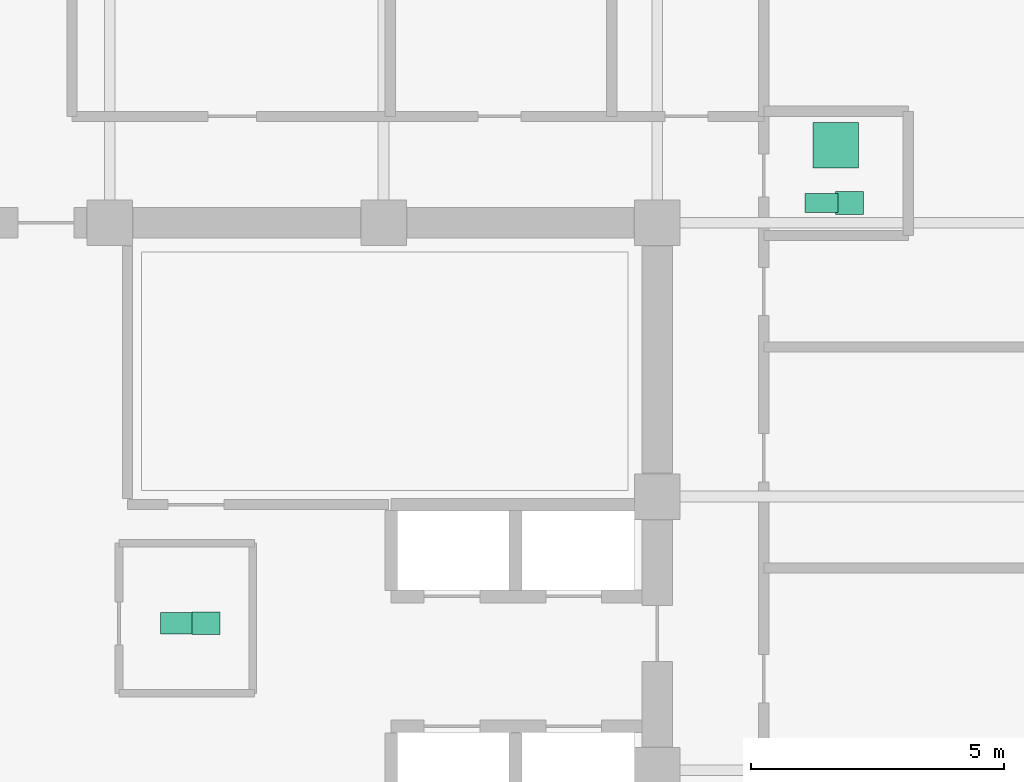
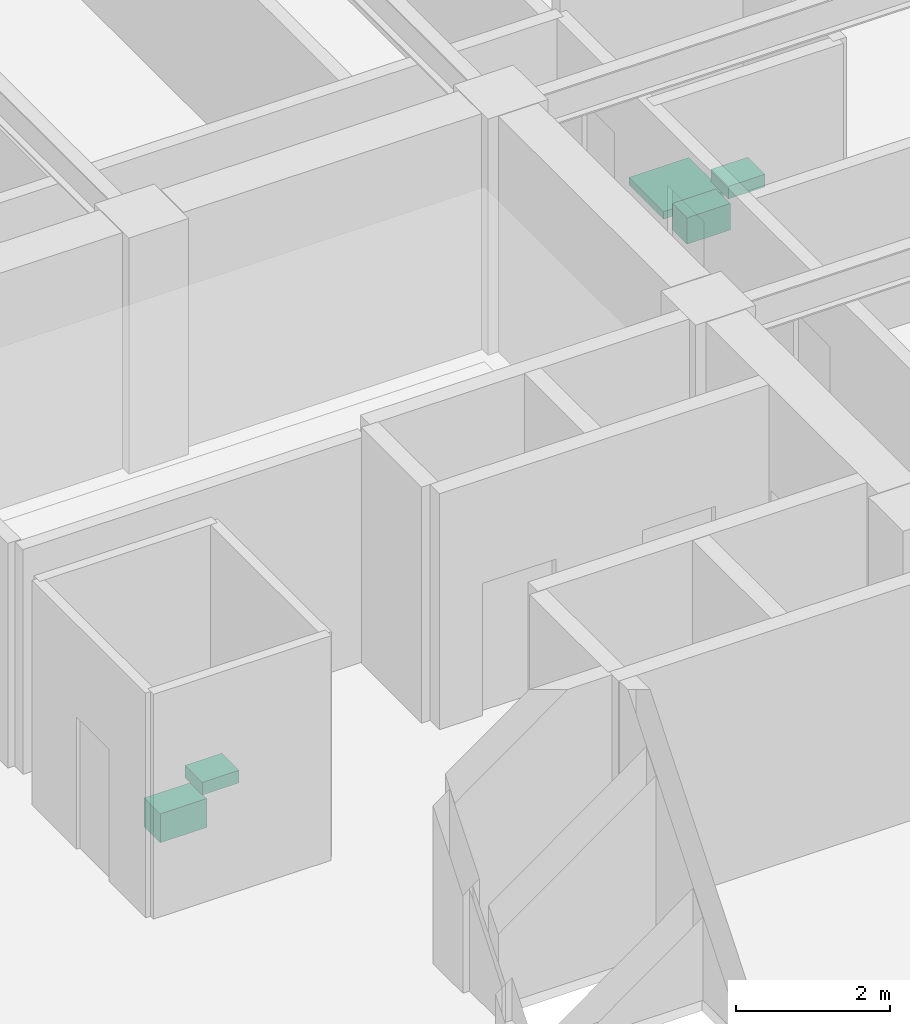
# One storey, part 28 of 28: 5 sanitary terminals.
"""IFC4 building model written with IfcOpenShell, lengths in metres."""

from ifc_helpers import new_model, si_unit, direction, frame, origin, origin_2d, place, context, subcontext, project, spatial, rectangle, extrude, material, type_object, element, save


model = new_model("IFC4")

# Units and contexts
model_context = context("Model", 3, precision=1e-05, world=origin(), true_north=direction((0.0, 1.0)))
body_context = subcontext(model_context, "Body", "Model", "MODEL_VIEW")
ifc_project = project(units=[si_unit("LENGTHUNIT", "METRE"), si_unit("AREAUNIT", "SQUARE_METRE"), si_unit("VOLUMEUNIT", "CUBIC_METRE"), si_unit("PLANEANGLEUNIT", "RADIAN"), si_unit("MASSUNIT", "GRAM", prefix="KILO")], contexts=[model_context])

# Site, building, storey
site_placement = place(None, origin())
site = spatial("IfcSite", under=ifc_project, at=site_placement, CompositionType="ELEMENT")
building_placement = place(site_placement, origin())
building = spatial("IfcBuilding", under=site, at=building_placement, Name="Surkhivell Harbour Commons", CompositionType="ELEMENT")
storey_placement = place(building_placement, frame((0.0, 0.0, 174.75)))
storey = spatial("IfcBuildingStorey", under=building, at=storey_placement, Name="L45", CompositionType="ELEMENT", Elevation=174.75)

# Sanitary terminals
ifc_material_1 = material(Name="Vitreous china washbasin", Category="other")
sanitary_terminal_type_1 = type_object("IfcSanitaryTerminalType", Name="SAN-BSN", PredefinedType="WASHHANDBASIN", material=ifc_material_1)
for number, where, z_axis, x_axis, name in (
    (1, (1.89990234375, 2.89990234375, 0.72021484375), (0.0, 0.0, 1.0), (1.0, 0.0, 0.0), "L45 Core Accessible WC Washbasin"),
    (2, (14.590087890625, 11.18994140625, 0.72021484375), (0.0, 0.0, 1.0), (1.0, 0.0, 0.0), "L45 East Communal Bathroom WC Washbasin"),
):
    element("IfcSanitaryTerminal", number, at=place(storey_placement, frame(where, z_axis=z_axis, x_axis=x_axis)), inside=storey, type_object=sanitary_terminal_type_1, Name=name, PredefinedType="WASHHANDBASIN", context=body_context, shape_type="SweptSolid", body=[
        extrude(rectangle(XDim=0.550048828125, YDim=0.449951171875, at=origin_2d()), origin(), (0.0, 0.0, 1.0), 0.199951171875),
    ])
ifc_material_2 = material(Name="Glazed porcelain shower tray", Category="other")
sanitary_terminal_type_2 = type_object("IfcSanitaryTerminalType", Name="SAN-SHW", PredefinedType="SHOWER", material=ifc_material_2)
sanitary_terminal_1_placement = place(storey_placement, frame((14.320068359375, 12.330078125, 0.0), z_axis=(0.0, 0.0, 1.0), x_axis=(1.0, 0.0, 0.0)))
element("IfcSanitaryTerminal", 3, at=sanitary_terminal_1_placement, inside=storey, type_object=sanitary_terminal_type_2, Name="L45 East Communal Shower Tray", PredefinedType="SHOWER", context=body_context, shape_type="SweptSolid", body=[
    extrude(rectangle(XDim=0.89990234375, YDim=0.89990234375, at=origin_2d()), origin(), (0.0, 0.0, 1.0), 0.1201171875),
])
ifc_material_3 = material(Name="Vitreous china sanitaryware", Category="other")
sanitary_terminal_type_3 = type_object("IfcSanitaryTerminalType", Name="SAN-WC-ACC", PredefinedType="TOILETPAN", material=ifc_material_3)
sanitary_terminal_2_placement = place(storey_placement, frame((1.35009765625, 2.89990234375, 0.169921875), z_axis=(0.0, 0.0, 1.0), x_axis=(1.0, 0.0, 0.0)))
element("IfcSanitaryTerminal", 4, at=sanitary_terminal_2_placement, inside=storey, type_object=sanitary_terminal_type_3, Name="L45 Core Accessible WC", PredefinedType="TOILETPAN", context=body_context, shape_type="SweptSolid", body=[
    extrude(rectangle(XDim=0.699951171875, YDim=0.419921875, at=origin_2d()), origin(), (0.0, 0.0, 1.0), 0.4599609375),
])
sanitary_terminal_type_4 = type_object("IfcSanitaryTerminalType", Name="SAN-WC-STD", PredefinedType="TOILETPAN", material=ifc_material_3)
sanitary_terminal_3_placement = place(storey_placement, frame((14.0400390625, 11.18994140625, 0.18994140625), z_axis=(0.0, 0.0, 1.0), x_axis=(1.0, 0.0, 0.0)))
element("IfcSanitaryTerminal", 5, at=sanitary_terminal_3_placement, inside=storey, type_object=sanitary_terminal_type_4, Name="L45 East Communal Bathroom WC", PredefinedType="TOILETPAN", context=body_context, shape_type="SweptSolid", body=[
    extrude(rectangle(XDim=0.64990234375, YDim=0.3798828125, at=origin_2d()), origin(), (0.0, 0.0, 1.0), 0.419921875),
])

save(model, "model.ifc")
